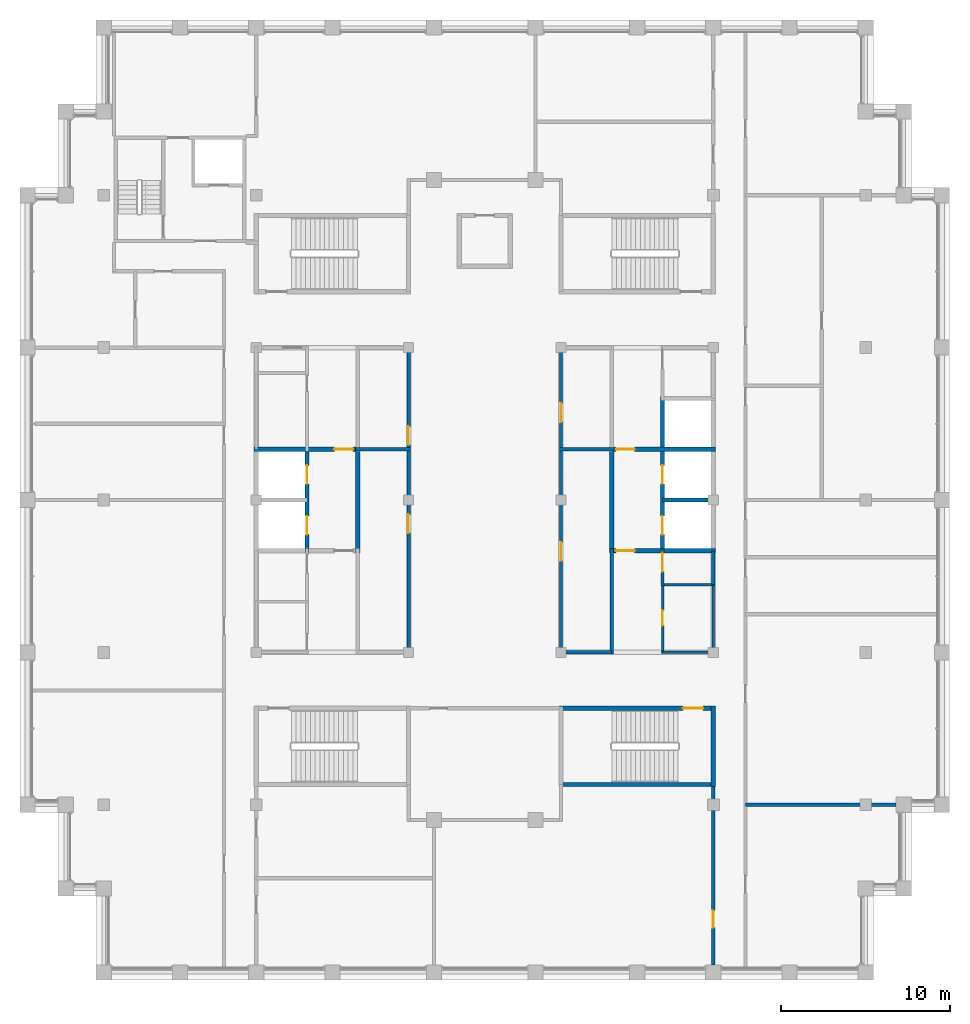
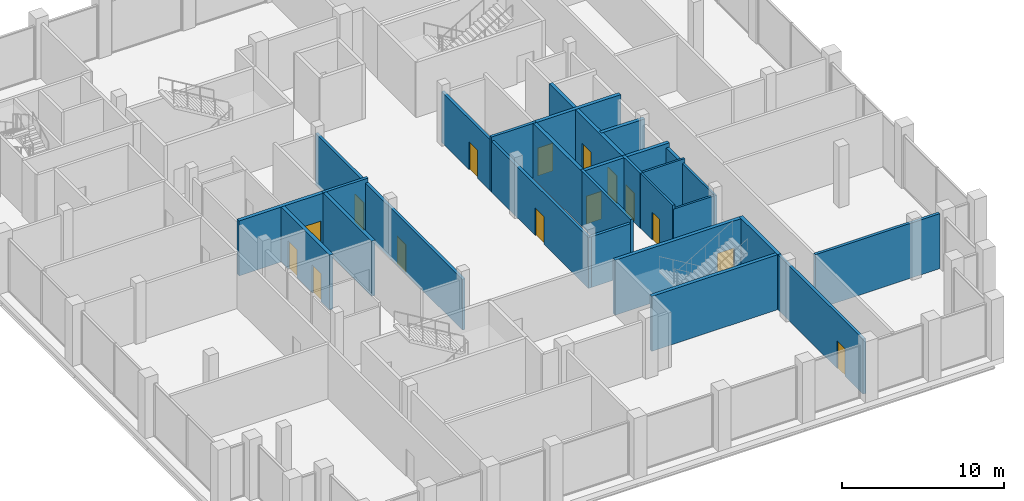
# One storey, part 9 of 13: 25 walls, 15 doors, 15 openings.
"""IFC4 building model written with IfcOpenShell, lengths in metres."""

from ifc_helpers import new_model, si_unit, direction, frame, frame_2d, origin, place, context, subcontext, project, spatial, rectangle, extrude, material, layer, layer_set, type_object, element, fill, save


model = new_model("IFC4")

# Units and contexts
model_context = context("Model", 3, precision=1e-05, world=origin(), true_north=direction((0.0, 1.0)))
body_context = subcontext(model_context, "Body", "Model", "MODEL_VIEW")
ifc_project = project(units=[si_unit("LENGTHUNIT", "METRE"), si_unit("AREAUNIT", "SQUARE_METRE"), si_unit("VOLUMEUNIT", "CUBIC_METRE"), si_unit("PLANEANGLEUNIT", "RADIAN"), si_unit("MASSUNIT", "GRAM", prefix="KILO")], contexts=[model_context])

# Site, building, storey
site_placement = place(None, origin())
site = spatial("IfcSite", under=ifc_project, at=site_placement, CompositionType="ELEMENT")
building_placement = place(site_placement, origin())
building = spatial("IfcBuilding", under=site, at=building_placement, Name="Corbelhall Arena Tower", CompositionType="ELEMENT")
storey_placement = place(building_placement, frame((0.0, 0.0, 361.0)))
storey = spatial("IfcBuildingStorey", under=building, at=storey_placement, Name="L79", CompositionType="ELEMENT", Elevation=361.0)

# Wall, opening, door
ifc_material_1 = material(Name="Gypsum board on steel stud, acoustic", Category="steel")
ifc_layer_1 = layer(ifc_material_1, 0.199951171875)
ifc_layer_set_1 = layer_set([ifc_layer_1], Name="IN-W-DM200")
wall_type_1 = type_object("IfcWallType", Name="IN-W-DM200", PredefinedType="PARTITIONING", material=ifc_layer_set_1)
wall_1_placement = place(storey_placement, frame((13.5, -27.449951171875, 0.0), z_axis=(0.0, 0.0, 1.0), x_axis=(0.0, 1.0, 0.0)))
wall_1 = element("IfcWall", 1, at=wall_1_placement, inside=storey, type_object=wall_type_1, Name="Partition 025", PredefinedType="PARTITIONING", context=body_context, shape_type="SweptSolid", body=[
    extrude(rectangle(XDim=10.77490234375, YDim=0.199951171875, at=frame_2d((5.387451171875, 0.0))), origin(), (0.0, 0.0, 1.0), 4.149658203125),
])
opening_1_placement = place(wall_1_placement, frame((2.199951171875, 0.0, 0.0)))
opening_1 = element("IfcOpeningElement", 2, at=opening_1_placement, cuts=wall_1, Name="Opening 33026", PredefinedType="OPENING", context=body_context, shape_type="SweptSolid", body=[
    extrude(rectangle(XDim=1.0, YDim=2.10009765625, at=frame_2d((0.5, 1.050048828125))), frame((0.0, 0.10009765625, 0.0), z_axis=(0.0, -1.0, 0.0), x_axis=(1.0, 0.0, 0.0)), (0.0, 0.0, 1.0), 0.199951171875),
])
ifc_material_2 = material(Name="Steel door set", Category="steel")
door_type_1 = type_object("IfcDoorType", Name="IN-D-SW100", OperationType="NOTDEFINED", PredefinedType="DOOR", material=ifc_material_2)
door_1_placement = place(opening_1_placement, origin())
door_1 = element("IfcDoor", 3, at=door_1_placement, inside=storey, type_object=door_type_1, Name="Door 026", OperationType="SINGLE_SWING_LEFT", OverallHeight=2.10009765625, OverallWidth=1.0, PredefinedType="DOOR", context=body_context, shape_type="SweptSolid", body=[
    extrude(rectangle(XDim=1.0, YDim=2.10009765625, at=frame_2d((0.5, 1.050048828125))), frame((0.0, 0.02490234375, 0.0), z_axis=(0.0, -1.0, 0.0), x_axis=(1.0, 0.0, 0.0)), (0.0, 0.0, 1.0), 0.050048828125),
])
fill(opening_1, door_1)

# Walls
wall_2_placement = place(storey_placement, frame((15.39990234375, -18.0, 0.0), z_axis=(0.0, 0.0, 1.0), x_axis=(1.0, 0.0, 0.0)))
element("IfcWall", 4, at=wall_2_placement, inside=storey, type_object=wall_type_1, Name="Partition 027", PredefinedType="PARTITIONING", context=body_context, shape_type="SweptSolid", body=[
    extrude(rectangle(XDim=8.900146484375, YDim=0.199951171875, at=frame_2d((4.4501953125, 0.0))), origin(), (0.0, 0.0, 1.0), 4.149658203125),
])
ifc_material_3 = material(Name="Concrete block wall", Category="concrete")
ifc_layer_2 = layer(ifc_material_3, 0.199951171875)
ifc_layer_set_2 = layer_set([ifc_layer_2], Name="IN-W-RS200")
wall_type_2 = type_object("IfcWallType", Name="IN-W-RS200", PredefinedType="SOLIDWALL", material=ifc_layer_set_2)
for number, where, z_axis, x_axis, name in (
    (5, (-7.625, 3.0, 0.0), (0.0, 0.0, 1.0), (1.0, 0.0, 0.0), "Partition 040"),
    (6, (4.39990234375, 3.0, 0.0), (0.0, 0.0, 1.0), (1.0, 0.0, 0.0), "Partition 046"),
):
    element("IfcWall", number, at=place(storey_placement, frame(where, z_axis=z_axis, x_axis=x_axis)), inside=storey, type_object=wall_type_2, Name=name, PredefinedType="SOLIDWALL", context=body_context, shape_type="SweptSolid", body=[
        extrude(rectangle(XDim=3.22509765625, YDim=0.199951171875, at=frame_2d((1.612548828125, 0.0))), origin(), (0.0, 0.0, 1.0), 4.149658203125),
    ])
wall_3_placement = place(storey_placement, frame((7.5, -2.875, 0.0), z_axis=(0.0, 0.0, 1.0), x_axis=(0.0, -1.0, 0.0)))
element("IfcWall", 7, at=wall_3_placement, inside=storey, type_object=wall_type_2, Name="Partition 050", PredefinedType="SOLIDWALL", context=body_context, shape_type="SweptSolid", body=[
    extrude(rectangle(XDim=6.22509765625, YDim=0.199951171875, at=frame_2d((3.112548828125, 0.0))), origin(), (0.0, 0.0, 1.0), 4.149658203125),
])

# Wall, opening, door
wall_4_placement = place(storey_placement, frame((10.5, -2.875, 0.0), z_axis=(0.0, 0.0, 1.0), x_axis=(0.0, -1.0, 0.0)))
wall_4 = element("IfcWall", 8, at=wall_4_placement, inside=storey, type_object=wall_type_2, Name="Partition 052", PredefinedType="SOLIDWALL", context=body_context, shape_type="SweptSolid", body=[
    extrude(rectangle(XDim=2.199951171875, YDim=0.199951171875, at=frame_2d((1.10009765625, 0.0))), origin(), (0.0, 0.0, 1.0), 4.149658203125),
])
opening_2_placement = place(wall_4_placement, frame((0.25, 0.0, 0.0)))
opening_2 = element("IfcOpeningElement", 9, at=opening_2_placement, cuts=wall_4, Name="Opening 33014", PredefinedType="OPENING", context=body_context, shape_type="SweptSolid", body=[
    extrude(rectangle(XDim=1.10009765625, YDim=2.10009765625, at=frame_2d((0.550048828125, 1.050048828125))), frame((0.0, 0.10009765625, 0.0), z_axis=(0.0, -1.0, 0.0), x_axis=(1.0, 0.0, 0.0)), (0.0, 0.0, 1.0), 0.199951171875),
])
door_type_2 = type_object("IfcDoorType", Name="IN-D-FD110", OperationType="NOTDEFINED", PredefinedType="DOOR", material=ifc_material_2)
door_2_placement = place(opening_2_placement, origin())
door_2 = element("IfcDoor", 10, at=door_2_placement, inside=storey, type_object=door_type_2, Name="Door 014", OperationType="SINGLE_SWING_LEFT", OverallHeight=2.10009765625, OverallWidth=1.10009765625, PredefinedType="DOOR", context=body_context, shape_type="SweptSolid", body=[
    extrude(rectangle(XDim=1.10009765625, YDim=2.10009765625, at=frame_2d((0.550048828125, 1.050048828125))), frame((0.0, 0.02490234375, 0.0), z_axis=(0.0, -1.0, 0.0), x_axis=(1.0, 0.0, 0.0)), (0.0, 0.0, 1.0), 0.050048828125),
])
fill(opening_2, door_2)

# Wall, openings, doors
ifc_layer_3 = layer(ifc_material_3, 0.199951171875)
ifc_layer_set_3 = layer_set([ifc_layer_3], Name="IN-W-RS200 under beam 312 mm")
wall_type_3 = type_object("IfcWallType", Name="IN-W-RS200 under beam 312 mm", PredefinedType="SOLIDWALL", material=ifc_layer_set_3)
wall_5_placement = place(storey_placement, frame((-4.5, 9.10009765625, 0.0), z_axis=(0.0, 0.0, 1.0), x_axis=(0.0, -1.0, 0.0)))
wall_5 = element("IfcWall", 11, at=wall_5_placement, inside=storey, type_object=wall_type_3, Name="Partition 045", PredefinedType="SOLIDWALL", context=body_context, shape_type="SweptSolid", body=[
    extrude(rectangle(XDim=18.2001953125, YDim=0.199951171875, at=frame_2d((9.10009765625, 0.0))), origin(), (0.0, 0.0, 1.0), 3.837646484375),
])
opening_3_placement = place(wall_5_placement, frame((9.949951171875, 0.0, 0.0)))
opening_3 = element("IfcOpeningElement", 12, at=opening_3_placement, cuts=wall_5, Name="Opening 33001", PredefinedType="OPENING", context=body_context, shape_type="SweptSolid", body=[
    extrude(rectangle(XDim=1.10009765625, YDim=2.10009765625, at=frame_2d((0.550048828125, 1.050048828125))), frame((0.0, 0.10009765625, 0.0), z_axis=(0.0, -1.0, 0.0), x_axis=(1.0, 0.0, 0.0)), (0.0, 0.0, 1.0), 0.199951171875),
])
opening_4_placement = place(wall_5_placement, frame((4.75, 0.0, 0.0)))
opening_4 = element("IfcOpeningElement", 13, at=opening_4_placement, cuts=wall_5, Name="Opening 33002", PredefinedType="OPENING", context=body_context, shape_type="SweptSolid", body=[
    extrude(rectangle(XDim=1.10009765625, YDim=2.10009765625, at=frame_2d((0.550048828125, 1.050048828125))), frame((0.0, 0.10009765625, 0.0), z_axis=(0.0, -1.0, 0.0), x_axis=(1.0, 0.0, 0.0)), (0.0, 0.0, 1.0), 0.199951171875),
])
door_3_placement = place(opening_3_placement, origin())
door_3 = element("IfcDoor", 14, at=door_3_placement, inside=storey, type_object=door_type_2, Name="Door 001", OperationType="SINGLE_SWING_RIGHT", OverallHeight=2.10009765625, OverallWidth=1.10009765625, PredefinedType="DOOR", context=body_context, shape_type="SweptSolid", body=[
    extrude(rectangle(XDim=1.10009765625, YDim=2.10009765625, at=frame_2d((0.550048828125, 1.050048828125))), frame((0.0, 0.02490234375, 0.0), z_axis=(0.0, -1.0, 0.0), x_axis=(1.0, 0.0, 0.0)), (0.0, 0.0, 1.0), 0.050048828125),
])
fill(opening_3, door_3)
door_4_placement = place(opening_4_placement, origin())
door_4 = element("IfcDoor", 15, at=door_4_placement, inside=storey, type_object=door_type_2, Name="Door 002", OperationType="SINGLE_SWING_LEFT", OverallHeight=2.10009765625, OverallWidth=1.10009765625, PredefinedType="DOOR", context=body_context, shape_type="SweptSolid", body=[
    extrude(rectangle(XDim=1.10009765625, YDim=2.10009765625, at=frame_2d((0.550048828125, 1.050048828125))), frame((0.0, 0.02490234375, 0.0), z_axis=(0.0, -1.0, 0.0), x_axis=(1.0, 0.0, 0.0)), (0.0, 0.0, 1.0), 0.050048828125),
])
fill(opening_4, door_4)

wall_6_placement = place(storey_placement, frame((4.5, -9.10009765625, 0.0), z_axis=(0.0, 0.0, 1.0), x_axis=(0.0, 1.0, 0.0)))
wall_6 = element("IfcWall", 16, at=wall_6_placement, inside=storey, type_object=wall_type_3, Name="Partition 047", PredefinedType="SOLIDWALL", context=body_context, shape_type="SweptSolid", body=[
    extrude(rectangle(XDim=18.2001953125, YDim=0.199951171875, at=frame_2d((9.10009765625, 0.0))), origin(), (0.0, 0.0, 1.0), 3.837646484375),
])
opening_5_placement = place(wall_6_placement, frame((5.5, 0.0, 0.0)))
opening_5 = element("IfcOpeningElement", 17, at=opening_5_placement, cuts=wall_6, Name="Opening 33009", PredefinedType="OPENING", context=body_context, shape_type="SweptSolid", body=[
    extrude(rectangle(XDim=1.10009765625, YDim=2.10009765625, at=frame_2d((0.550048828125, 1.050048828125))), frame((0.0, 0.10009765625, 0.0), z_axis=(0.0, -1.0, 0.0), x_axis=(1.0, 0.0, 0.0)), (0.0, 0.0, 1.0), 0.199951171875),
])
opening_6_placement = place(wall_6_placement, frame((13.699951171875, 0.0, 0.0)))
opening_6 = element("IfcOpeningElement", 18, at=opening_6_placement, cuts=wall_6, Name="Opening 33010", PredefinedType="OPENING", context=body_context, shape_type="SweptSolid", body=[
    extrude(rectangle(XDim=1.10009765625, YDim=2.10009765625, at=frame_2d((0.550048828125, 1.050048828125))), frame((0.0, 0.10009765625, 0.0), z_axis=(0.0, -1.0, 0.0), x_axis=(1.0, 0.0, 0.0)), (0.0, 0.0, 1.0), 0.199951171875),
])
door_5_placement = place(opening_5_placement, origin())
door_5 = element("IfcDoor", 19, at=door_5_placement, inside=storey, type_object=door_type_2, Name="Door 009", OperationType="SINGLE_SWING_RIGHT", OverallHeight=2.10009765625, OverallWidth=1.10009765625, PredefinedType="DOOR", context=body_context, shape_type="SweptSolid", body=[
    extrude(rectangle(XDim=1.10009765625, YDim=2.10009765625, at=frame_2d((0.550048828125, 1.050048828125))), frame((0.0, 0.02490234375, 0.0), z_axis=(0.0, -1.0, 0.0), x_axis=(1.0, 0.0, 0.0)), (0.0, 0.0, 1.0), 0.050048828125),
])
fill(opening_5, door_5)
door_6_placement = place(opening_6_placement, origin())
door_6 = element("IfcDoor", 20, at=door_6_placement, inside=storey, type_object=door_type_2, Name="Door 010", OperationType="SINGLE_SWING_LEFT", OverallHeight=2.10009765625, OverallWidth=1.10009765625, PredefinedType="DOOR", context=body_context, shape_type="SweptSolid", body=[
    extrude(rectangle(XDim=1.10009765625, YDim=2.10009765625, at=frame_2d((0.550048828125, 1.050048828125))), frame((0.0, 0.02490234375, 0.0), z_axis=(0.0, -1.0, 0.0), x_axis=(1.0, 0.0, 0.0)), (0.0, 0.0, 1.0), 0.050048828125),
])
fill(opening_6, door_6)

# Walls
wall_7_placement = place(storey_placement, frame((7.5, -9.0, 0.0), z_axis=(0.0, 0.0, 1.0), x_axis=(-1.0, 0.0, 0.0)))
element("IfcWall", 21, at=wall_7_placement, inside=storey, type_object=wall_type_3, Name="Partition 049", PredefinedType="SOLIDWALL", context=body_context, shape_type="SweptSolid", body=[
    extrude(rectangle(XDim=3.0, YDim=0.199951171875, at=frame_2d((1.5, 0.0))), origin(), (0.0, 0.0, 1.0), 3.837646484375),
])
wall_8_placement = place(storey_placement, frame((13.5, -3.0, 0.0), z_axis=(0.0, 0.0, 1.0), x_axis=(0.0, -1.0, 0.0)))
element("IfcWall", 22, at=wall_8_placement, inside=storey, type_object=wall_type_3, Name="Partition 055", PredefinedType="SOLIDWALL", context=body_context, shape_type="SweptSolid", body=[
    extrude(rectangle(XDim=2.0, YDim=0.199951171875, at=frame_2d((1.0, 0.0))), origin(), (0.0, 0.0, 1.0), 3.837646484375),
])

# Wall, opening, door
ifc_material_4 = material(Name="Concrete C40/50", Category="concrete")
ifc_layer_4 = layer(ifc_material_4, 0.25)
ifc_layer_set_4 = layer_set([ifc_layer_4], Name="IN-W-SH250")
wall_type_4 = type_object("IfcWallType", Name="IN-W-SH250", PredefinedType="SOLIDWALL", material=ifc_layer_set_4)
wall_9_placement = place(storey_placement, frame((-13.625, 3.0, 0.0), z_axis=(0.0, 0.0, 1.0), x_axis=(1.0, 0.0, 0.0)))
wall_9 = element("IfcWall", 23, at=wall_9_placement, inside=storey, type_object=wall_type_4, Name="Shaft wall 058", PredefinedType="SOLIDWALL", context=body_context, shape_type="SweptSolid", body=[
    extrude(rectangle(XDim=6.125, YDim=0.25, at=frame_2d((3.0625, 0.0))), origin(), (0.0, 0.0, 1.0), 4.149658203125),
])
opening_7_placement = place(wall_9_placement, frame((4.75, 0.0, 0.0)))
opening_7 = element("IfcOpeningElement", 24, at=opening_7_placement, cuts=wall_9, Name="Opening 33004", PredefinedType="OPENING", context=body_context, shape_type="SweptSolid", body=[
    extrude(rectangle(XDim=1.10009765625, YDim=2.10009765625, at=frame_2d((0.550048828125, 1.050048828125))), frame((0.0, 0.125, 0.0), z_axis=(0.0, -1.0, 0.0), x_axis=(1.0, 0.0, 0.0)), (0.0, 0.0, 1.0), 0.25),
])
door_7_placement = place(opening_7_placement, origin())
door_7 = element("IfcDoor", 25, at=door_7_placement, inside=storey, type_object=door_type_2, Name="Door 004", OperationType="SINGLE_SWING_LEFT", OverallHeight=2.10009765625, OverallWidth=1.10009765625, PredefinedType="DOOR", context=body_context, shape_type="SweptSolid", body=[
    extrude(rectangle(XDim=1.10009765625, YDim=2.10009765625, at=frame_2d((0.550048828125, 1.050048828125))), frame((0.0, 0.02490234375, 0.0), z_axis=(0.0, -1.0, 0.0), x_axis=(1.0, 0.0, 0.0)), (0.0, 0.0, 1.0), 0.050048828125),
])
fill(opening_7, door_7)

# Wall, openings, doors
wall_10_placement = place(storey_placement, frame((-10.5, -3.125, 0.0), z_axis=(0.0, 0.0, 1.0), x_axis=(0.0, 1.0, 0.0)))
wall_10 = element("IfcWall", 26, at=wall_10_placement, inside=storey, type_object=wall_type_4, Name="Shaft wall 061", PredefinedType="SOLIDWALL", context=body_context, shape_type="SweptSolid", body=[
    extrude(rectangle(XDim=6.25, YDim=0.25, at=frame_2d((3.125, 0.0))), origin(), (0.0, 0.0, 1.0), 4.149658203125),
])
opening_8_placement = place(wall_10_placement, frame((1.074951171875, 0.0, 0.0)))
opening_8 = element("IfcOpeningElement", 27, at=opening_8_placement, cuts=wall_10, Name="Opening LD", PredefinedType="OPENING", context=body_context, shape_type="SweptSolid", body=[
    extrude(rectangle(XDim=1.10009765625, YDim=2.10009765625, at=frame_2d((0.550048828125, 1.050048828125))), frame((0.0, 0.125, 0.0), z_axis=(0.0, -1.0, 0.0), x_axis=(1.0, 0.0, 0.0)), (0.0, 0.0, 1.0), 0.25),
])
opening_9_placement = place(wall_10_placement, frame((4.074951171875, 0.0, 0.0)))
opening_9 = element("IfcOpeningElement", 28, at=opening_9_placement, cuts=wall_10, Name="Opening LD", PredefinedType="OPENING", context=body_context, shape_type="SweptSolid", body=[
    extrude(rectangle(XDim=1.10009765625, YDim=2.10009765625, at=frame_2d((0.550048828125, 1.050048828125))), frame((0.0, 0.125, 0.0), z_axis=(0.0, -1.0, 0.0), x_axis=(1.0, 0.0, 0.0)), (0.0, 0.0, 1.0), 0.25),
])
door_type_3 = type_object("IfcDoorType", Name="IN-D-LD110", OperationType="NOTDEFINED", PredefinedType="DOOR", material=ifc_material_2)
door_8_placement = place(opening_8_placement, origin())
door_8 = element("IfcDoor", 29, at=door_8_placement, inside=storey, type_object=door_type_3, Name="Landing door W3", OperationType="SLIDING_TO_LEFT", OverallHeight=2.10009765625, OverallWidth=1.10009765625, PredefinedType="DOOR", context=body_context, shape_type="SweptSolid", body=[
    extrude(rectangle(XDim=1.10009765625, YDim=2.10009765625, at=frame_2d((0.550048828125, 1.050048828125))), frame((0.0, 0.02490234375, 0.0), z_axis=(0.0, -1.0, 0.0), x_axis=(1.0, 0.0, 0.0)), (0.0, 0.0, 1.0), 0.050048828125),
])
fill(opening_8, door_8)
door_9_placement = place(opening_9_placement, origin())
door_9 = element("IfcDoor", 30, at=door_9_placement, inside=storey, type_object=door_type_3, Name="Landing door W4", OperationType="SLIDING_TO_LEFT", OverallHeight=2.10009765625, OverallWidth=1.10009765625, PredefinedType="DOOR", context=body_context, shape_type="SweptSolid", body=[
    extrude(rectangle(XDim=1.10009765625, YDim=2.10009765625, at=frame_2d((0.550048828125, 1.050048828125))), frame((0.0, 0.02490234375, 0.0), z_axis=(0.0, -1.0, 0.0), x_axis=(1.0, 0.0, 0.0)), (0.0, 0.0, 1.0), 0.050048828125),
])
fill(opening_9, door_9)

# Wall
wall_11_placement = place(storey_placement, frame((-7.5, -3.125, 0.0), z_axis=(0.0, 0.0, 1.0), x_axis=(0.0, 1.0, 0.0)))
element("IfcWall", 31, at=wall_11_placement, inside=storey, type_object=wall_type_4, Name="Shaft wall 062", PredefinedType="SOLIDWALL", context=body_context, shape_type="SweptSolid", body=[
    extrude(rectangle(XDim=6.25, YDim=0.25, at=frame_2d((3.125, 0.0))), origin(), (0.0, 0.0, 1.0), 4.149658203125),
])

# Wall, opening, door
wall_12_placement = place(storey_placement, frame((7.5, -3.0, 0.0), z_axis=(0.0, 0.0, 1.0), x_axis=(1.0, 0.0, 0.0)))
wall_12 = element("IfcWall", 32, at=wall_12_placement, inside=storey, type_object=wall_type_4, Name="Shaft wall 067", PredefinedType="SOLIDWALL", context=body_context, shape_type="SweptSolid", body=[
    extrude(rectangle(XDim=6.125, YDim=0.25, at=frame_2d((3.0625, 0.0))), origin(), (0.0, 0.0, 1.0), 4.149658203125),
])
opening_10_placement = place(wall_12_placement, frame((0.25, 0.0, 0.0)))
opening_10 = element("IfcOpeningElement", 33, at=opening_10_placement, cuts=wall_12, Name="Opening 33011", PredefinedType="OPENING", context=body_context, shape_type="SweptSolid", body=[
    extrude(rectangle(XDim=1.10009765625, YDim=2.10009765625, at=frame_2d((0.550048828125, 1.050048828125))), frame((0.0, 0.125, 0.0), z_axis=(0.0, -1.0, 0.0), x_axis=(1.0, 0.0, 0.0)), (0.0, 0.0, 1.0), 0.25),
])
door_10_placement = place(opening_10_placement, origin())
door_10 = element("IfcDoor", 34, at=door_10_placement, inside=storey, type_object=door_type_2, Name="Door 011", OperationType="SINGLE_SWING_RIGHT", OverallHeight=2.10009765625, OverallWidth=1.10009765625, PredefinedType="DOOR", context=body_context, shape_type="SweptSolid", body=[
    extrude(rectangle(XDim=1.10009765625, YDim=2.10009765625, at=frame_2d((0.550048828125, 1.050048828125))), frame((0.0, 0.02490234375, 0.0), z_axis=(0.0, -1.0, 0.0), x_axis=(1.0, 0.0, 0.0)), (0.0, 0.0, 1.0), 0.050048828125),
])
fill(opening_10, door_10)

wall_13_placement = place(storey_placement, frame((7.5, 3.0, 0.0), z_axis=(0.0, 0.0, 1.0), x_axis=(1.0, 0.0, 0.0)))
wall_13 = element("IfcWall", 35, at=wall_13_placement, inside=storey, type_object=wall_type_4, Name="Shaft wall 068", PredefinedType="SOLIDWALL", context=body_context, shape_type="SweptSolid", body=[
    extrude(rectangle(XDim=6.125, YDim=0.25, at=frame_2d((3.0625, 0.0))), origin(), (0.0, 0.0, 1.0), 4.149658203125),
])
opening_11_placement = place(wall_13_placement, frame((0.25, 0.0, 0.0)))
opening_11 = element("IfcOpeningElement", 36, at=opening_11_placement, cuts=wall_13, Name="Opening 33012", PredefinedType="OPENING", context=body_context, shape_type="SweptSolid", body=[
    extrude(rectangle(XDim=1.10009765625, YDim=2.10009765625, at=frame_2d((0.550048828125, 1.050048828125))), frame((0.0, 0.125, 0.0), z_axis=(0.0, -1.0, 0.0), x_axis=(1.0, 0.0, 0.0)), (0.0, 0.0, 1.0), 0.25),
])
door_11_placement = place(opening_11_placement, origin())
door_11 = element("IfcDoor", 37, at=door_11_placement, inside=storey, type_object=door_type_2, Name="Door 012", OperationType="SINGLE_SWING_LEFT", OverallHeight=2.10009765625, OverallWidth=1.10009765625, PredefinedType="DOOR", context=body_context, shape_type="SweptSolid", body=[
    extrude(rectangle(XDim=1.10009765625, YDim=2.10009765625, at=frame_2d((0.550048828125, 1.050048828125))), frame((0.0, 0.02490234375, 0.0), z_axis=(0.0, -1.0, 0.0), x_axis=(1.0, 0.0, 0.0)), (0.0, 0.0, 1.0), 0.050048828125),
])
fill(opening_11, door_11)

# Walls
wall_14_placement = place(storey_placement, frame((7.5, 3.125, 0.0), z_axis=(0.0, 0.0, 1.0), x_axis=(0.0, -1.0, 0.0)))
element("IfcWall", 38, at=wall_14_placement, inside=storey, type_object=wall_type_4, Name="Shaft wall 069", PredefinedType="SOLIDWALL", context=body_context, shape_type="SweptSolid", body=[
    extrude(rectangle(XDim=6.25, YDim=0.25, at=frame_2d((3.125, 0.0))), origin(), (0.0, 0.0, 1.0), 4.149658203125),
])
wall_15_placement = place(storey_placement, frame((10.5, 0.0, 0.0), z_axis=(0.0, 0.0, 1.0), x_axis=(1.0, 0.0, 0.0)))
element("IfcWall", 39, at=wall_15_placement, inside=storey, type_object=wall_type_4, Name="Shaft wall 070", PredefinedType="SOLIDWALL", context=body_context, shape_type="SweptSolid", body=[
    extrude(rectangle(XDim=3.125, YDim=0.25, at=frame_2d((1.5625, 0.0))), origin(), (0.0, 0.0, 1.0), 4.149658203125),
])

# Wall, openings, doors
wall_16_placement = place(storey_placement, frame((10.5, 6.125, 0.0), z_axis=(0.0, 0.0, 1.0), x_axis=(0.0, -1.0, 0.0)))
wall_16 = element("IfcWall", 40, at=wall_16_placement, inside=storey, type_object=wall_type_4, Name="Shaft wall 071", PredefinedType="SOLIDWALL", context=body_context, shape_type="SweptSolid", body=[
    extrude(rectangle(XDim=9.25, YDim=0.25, at=frame_2d((4.625, 0.0))), origin(), (0.0, 0.0, 1.0), 4.149658203125),
])
opening_12_placement = place(wall_16_placement, frame((7.074951171875, 0.0, 0.0)))
opening_12 = element("IfcOpeningElement", 41, at=opening_12_placement, cuts=wall_16, Name="Opening LD", PredefinedType="OPENING", context=body_context, shape_type="SweptSolid", body=[
    extrude(rectangle(XDim=1.10009765625, YDim=2.10009765625, at=frame_2d((0.550048828125, 1.050048828125))), frame((0.0, 0.125, 0.0), z_axis=(0.0, -1.0, 0.0), x_axis=(1.0, 0.0, 0.0)), (0.0, 0.0, 1.0), 0.25),
])
opening_13_placement = place(wall_16_placement, frame((4.074951171875, 0.0, 0.0)))
opening_13 = element("IfcOpeningElement", 42, at=opening_13_placement, cuts=wall_16, Name="Opening LD", PredefinedType="OPENING", context=body_context, shape_type="SweptSolid", body=[
    extrude(rectangle(XDim=1.10009765625, YDim=2.10009765625, at=frame_2d((0.550048828125, 1.050048828125))), frame((0.0, 0.125, 0.0), z_axis=(0.0, -1.0, 0.0), x_axis=(1.0, 0.0, 0.0)), (0.0, 0.0, 1.0), 0.25),
])
door_12_placement = place(opening_12_placement, origin())
door_12 = element("IfcDoor", 43, at=door_12_placement, inside=storey, type_object=door_type_3, Name="Landing door E3", OperationType="SLIDING_TO_LEFT", OverallHeight=2.10009765625, OverallWidth=1.10009765625, PredefinedType="DOOR", context=body_context, shape_type="SweptSolid", body=[
    extrude(rectangle(XDim=1.10009765625, YDim=2.10009765625, at=frame_2d((0.550048828125, 1.050048828125))), frame((0.0, 0.02490234375, 0.0), z_axis=(0.0, -1.0, 0.0), x_axis=(1.0, 0.0, 0.0)), (0.0, 0.0, 1.0), 0.050048828125),
])
fill(opening_12, door_12)
door_13_placement = place(opening_13_placement, origin())
door_13 = element("IfcDoor", 44, at=door_13_placement, inside=storey, type_object=door_type_3, Name="Landing door E4", OperationType="SLIDING_TO_LEFT", OverallHeight=2.10009765625, OverallWidth=1.10009765625, PredefinedType="DOOR", context=body_context, shape_type="SweptSolid", body=[
    extrude(rectangle(XDim=1.10009765625, YDim=2.10009765625, at=frame_2d((0.550048828125, 1.050048828125))), frame((0.0, 0.02490234375, 0.0), z_axis=(0.0, -1.0, 0.0), x_axis=(1.0, 0.0, 0.0)), (0.0, 0.0, 1.0), 0.050048828125),
])
fill(opening_13, door_13)

# Walls
ifc_layer_5 = layer(ifc_material_4, 0.25)
ifc_layer_set_5 = layer_set([ifc_layer_5], Name="IN-W-ST250")
wall_type_5 = type_object("IfcWallType", Name="IN-W-ST250", PredefinedType="SOLIDWALL", material=ifc_layer_set_5)
wall_17_placement = place(storey_placement, frame((13.5, -16.925048828125, 0.0), z_axis=(0.0, 0.0, 1.0), x_axis=(0.0, 1.0, 0.0)))
element("IfcWall", 45, at=wall_17_placement, inside=storey, type_object=wall_type_5, Name="Shaft wall 086", PredefinedType="SOLIDWALL", context=body_context, shape_type="SweptSolid", body=[
    extrude(rectangle(XDim=4.75, YDim=0.25, at=frame_2d((2.375, 0.0))), origin(), (0.0, 0.0, 1.0), 4.149658203125),
])
wall_18_placement = place(storey_placement, frame((13.5, -16.800048828125, 0.0), z_axis=(0.0, 0.0, 1.0), x_axis=(-1.0, 0.0, 0.0)))
element("IfcWall", 46, at=wall_18_placement, inside=storey, type_object=wall_type_5, Name="Shaft wall 087", PredefinedType="SOLIDWALL", context=body_context, shape_type="SweptSolid", body=[
    extrude(rectangle(XDim=9.10009765625, YDim=0.25, at=frame_2d((4.550048828125, 0.0))), origin(), (0.0, 0.0, 1.0), 4.149658203125),
])

# Wall, opening, door
wall_19_placement = place(storey_placement, frame((13.5, -12.300048828125, 0.0), z_axis=(0.0, 0.0, 1.0), x_axis=(-1.0, 0.0, 0.0)))
wall_19 = element("IfcWall", 47, at=wall_19_placement, inside=storey, type_object=wall_type_5, Name="Shaft wall 088", PredefinedType="SOLIDWALL", context=body_context, shape_type="SweptSolid", body=[
    extrude(rectangle(XDim=9.125, YDim=0.25, at=frame_2d((4.5625, 0.0))), origin(), (0.0, 0.0, 1.0), 4.149658203125),
])
opening_14_placement = place(wall_19_placement, frame((0.60009765625, 0.0, 0.0)))
opening_14 = element("IfcOpeningElement", 48, at=opening_14_placement, cuts=wall_19, Name="Opening 33019", PredefinedType="OPENING", context=body_context, shape_type="SweptSolid", body=[
    extrude(rectangle(XDim=1.199951171875, YDim=2.10009765625, at=frame_2d((0.60009765625, 1.050048828125))), frame((0.0, 0.125, 0.0), z_axis=(0.0, -1.0, 0.0), x_axis=(1.0, 0.0, 0.0)), (0.0, 0.0, 1.0), 0.25),
])
door_type_4 = type_object("IfcDoorType", Name="IN-D-ST120", OperationType="NOTDEFINED", PredefinedType="DOOR", material=ifc_material_2)
door_14_placement = place(opening_14_placement, origin())
door_14 = element("IfcDoor", 49, at=door_14_placement, inside=storey, type_object=door_type_4, Name="Door 019", OperationType="SINGLE_SWING_RIGHT", OverallHeight=2.10009765625, OverallWidth=1.199951171875, PredefinedType="DOOR", context=body_context, shape_type="SweptSolid", body=[
    extrude(rectangle(XDim=1.199951171875, YDim=2.10009765625, at=frame_2d((0.60009765625, 1.050048828125))), frame((0.0, 0.02490234375, 0.0), z_axis=(0.0, -1.0, 0.0), x_axis=(1.0, 0.0, 0.0)), (0.0, 0.0, 1.0), 0.050048828125),
])
fill(opening_14, door_14)

# Wall
ifc_material_5 = material(Name="Gypsum board on steel stud, moisture resistant", Category="steel")
ifc_layer_6 = layer(ifc_material_5, 0.14990234375)
ifc_layer_set_6 = layer_set([ifc_layer_6], Name="IN-W-WC150")
wall_type_6 = type_object("IfcWallType", Name="IN-W-WC150", PredefinedType="PARTITIONING", material=ifc_layer_set_6)
wall_20_placement = place(storey_placement, frame((10.5, -5.0, 0.0), z_axis=(0.0, 0.0, 1.0), x_axis=(1.0, 0.0, 0.0)))
element("IfcWall", 50, at=wall_20_placement, inside=storey, type_object=wall_type_6, Name="Partition 097", PredefinedType="PARTITIONING", context=body_context, shape_type="SweptSolid", body=[
    extrude(rectangle(XDim=3.10009765625, YDim=0.14990234375, at=frame_2d((1.550048828125, 0.0))), origin(), (0.0, 0.0, 1.0), 4.149658203125),
])

# Wall, opening, door
wall_21_placement = place(storey_placement, frame((10.5, -4.925048828125, 0.0), z_axis=(0.0, 0.0, 1.0), x_axis=(0.0, -1.0, 0.0)))
wall_21 = element("IfcWall", 51, at=wall_21_placement, inside=storey, type_object=wall_type_6, Name="Partition 098", PredefinedType="PARTITIONING", context=body_context, shape_type="SweptSolid", body=[
    extrude(rectangle(XDim=4.14990234375, YDim=0.14990234375, at=frame_2d((2.074951171875, 0.0))), origin(), (0.0, 0.0, 1.0), 4.149658203125),
])
opening_15_placement = place(wall_21_placement, frame((1.60009765625, 0.0, 0.0)))
opening_15 = element("IfcOpeningElement", 52, at=opening_15_placement, cuts=wall_21, Name="Opening 33013", PredefinedType="OPENING", context=body_context, shape_type="SweptSolid", body=[
    extrude(rectangle(XDim=0.89990234375, YDim=2.10009765625, at=frame_2d((0.449951171875, 1.050048828125))), frame((0.0, 0.074951171875, 0.0), z_axis=(0.0, -1.0, 0.0), x_axis=(1.0, 0.0, 0.0)), (0.0, 0.0, 1.0), 0.14990234375),
])
ifc_material_6 = material(Name="Timber door set", Category="wood")
door_type_5 = type_object("IfcDoorType", Name="IN-D-SW90", OperationType="NOTDEFINED", PredefinedType="DOOR", material=ifc_material_6)
door_15_placement = place(opening_15_placement, origin())
door_15 = element("IfcDoor", 53, at=door_15_placement, inside=storey, type_object=door_type_5, Name="Door 013", OperationType="SINGLE_SWING_RIGHT", OverallHeight=2.10009765625, OverallWidth=0.89990234375, PredefinedType="DOOR", context=body_context, shape_type="SweptSolid", body=[
    extrude(rectangle(XDim=0.89990234375, YDim=2.10009765625, at=frame_2d((0.449951171875, 1.050048828125))), frame((0.0, 0.02490234375, 0.0), z_axis=(0.0, -1.0, 0.0), x_axis=(1.0, 0.0, 0.0)), (0.0, 0.0, 1.0), 0.050048828125),
])
fill(opening_15, door_15)

# Walls
ifc_layer_7 = layer(ifc_material_5, 0.14990234375)
ifc_layer_set_7 = layer_set([ifc_layer_7], Name="IN-W-WC150 under beam 312 mm")
wall_type_7 = type_object("IfcWallType", Name="IN-W-WC150 under beam 312 mm", PredefinedType="PARTITIONING", material=ifc_layer_set_7)
wall_22_placement = place(storey_placement, frame((13.5, -9.0, 0.0), z_axis=(0.0, 0.0, 1.0), x_axis=(-1.0, 0.0, 0.0)))
element("IfcWall", 54, at=wall_22_placement, inside=storey, type_object=wall_type_7, Name="Partition 099", PredefinedType="PARTITIONING", context=body_context, shape_type="SweptSolid", body=[
    extrude(rectangle(XDim=3.0, YDim=0.14990234375, at=frame_2d((1.5, 0.0))), origin(), (0.0, 0.0, 1.0), 3.837646484375),
])
wall_23_placement = place(storey_placement, frame((13.5, -5.0, 0.0), z_axis=(0.0, 0.0, 1.0), x_axis=(0.0, -1.0, 0.0)))
element("IfcWall", 55, at=wall_23_placement, inside=storey, type_object=wall_type_7, Name="Partition 100", PredefinedType="PARTITIONING", context=body_context, shape_type="SweptSolid", body=[
    extrude(rectangle(XDim=4.074951171875, YDim=0.14990234375, at=frame_2d((2.03759765625, 0.0))), origin(), (0.0, 0.0, 1.0), 3.837646484375),
])

save(model, "model.ifc")
